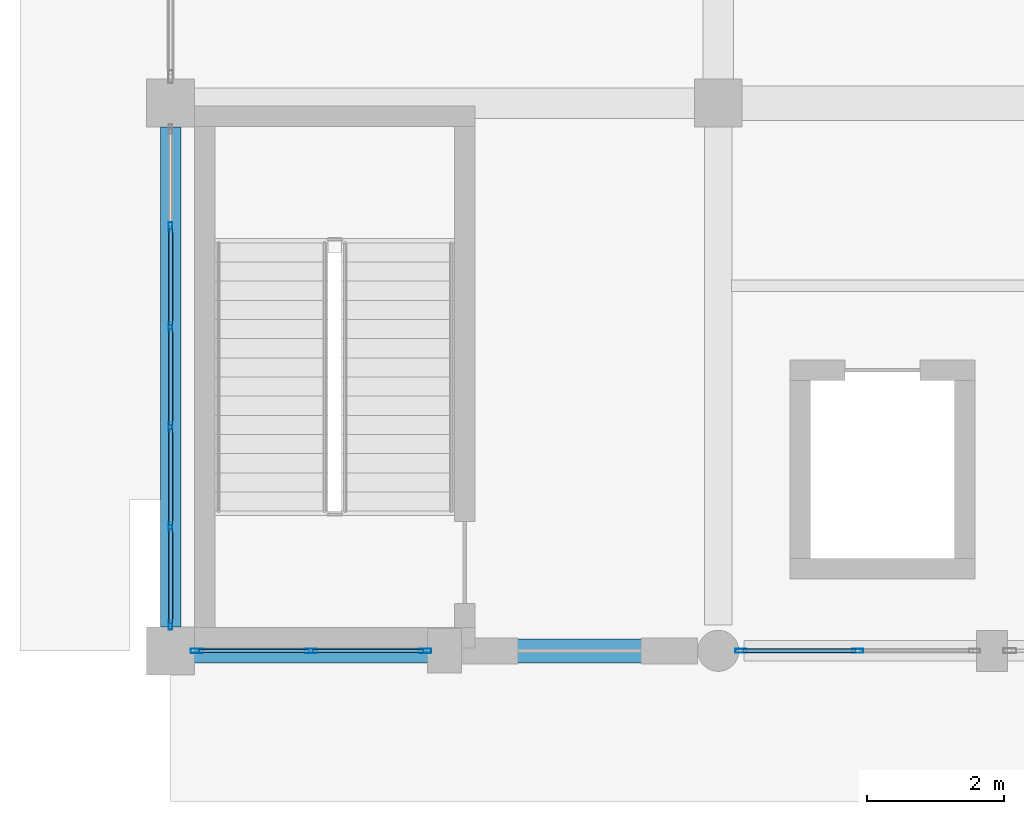
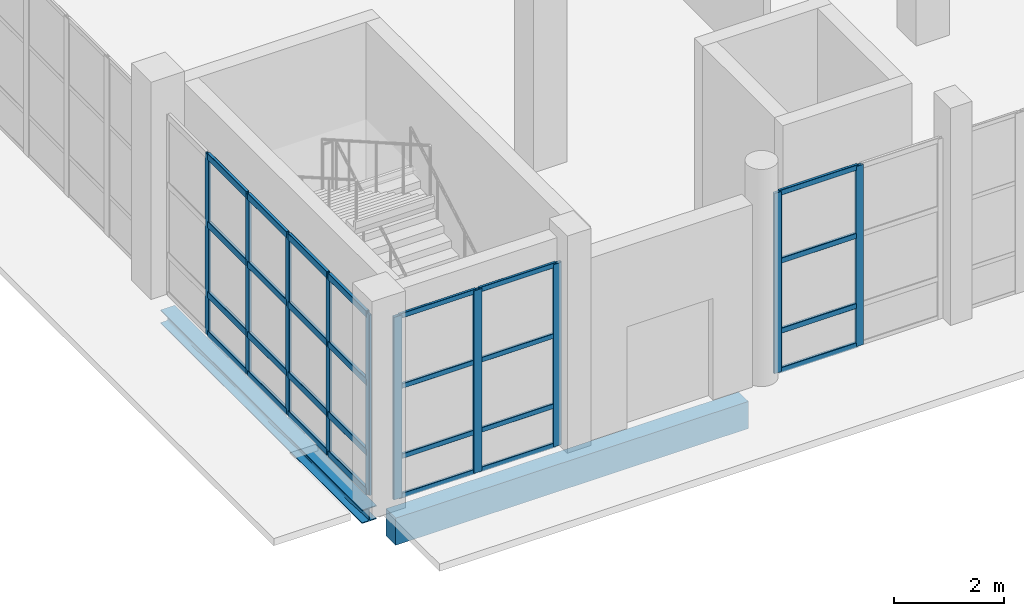
# One storey, part 3 of 156: 38 members, 2 beams, 3 elements without a shape of their own.
"""IFC4 building model written with IfcOpenShell, lengths in metres."""

from ifc_helpers import new_model, si_unit, direction, frame, origin, origin_2d, place, context, subcontext, project, spatial, rectangle, hollow_rectangle, i_section, extrude, material, material_profile, profile_set, type_object, element, aggregate, save


model = new_model("IFC4")

# Units and contexts
model_context = context("Model", 3, precision=1e-05, world=origin(), true_north=direction((0.0, 1.0)))
body_context = subcontext(model_context, "Body", "Model", "MODEL_VIEW")
ifc_project = project(units=[si_unit("LENGTHUNIT", "METRE"), si_unit("AREAUNIT", "SQUARE_METRE"), si_unit("VOLUMEUNIT", "CUBIC_METRE"), si_unit("PLANEANGLEUNIT", "RADIAN"), si_unit("MASSUNIT", "GRAM", prefix="KILO")], contexts=[model_context])

# Site, building, storey
site_placement = place(None, origin())
site = spatial("IfcSite", under=ifc_project, at=site_placement, CompositionType="ELEMENT")
building_placement = place(site_placement, origin())
building = spatial("IfcBuilding", under=site, at=building_placement, Name="Luwemba Playhouse", CompositionType="ELEMENT")
storey_placement = place(building_placement, origin())
storey = spatial("IfcBuildingStorey", under=building, at=storey_placement, Name="L00", CompositionType="ELEMENT", Elevation=0.0)

# Beams
ifc_material_1 = material(Name="Concrete C40/50", Category="concrete")
ifc_material_profile_1 = material_profile(ifc_material_1, rectangle(XDim=0.35009765625, YDim=0.60009765625, at=origin_2d()))
ifc_profile_set_1 = profile_set([ifc_material_profile_1], Name="Concrete C40/50")
beam_type_1 = type_object("IfcBeamType", Name="BM-SP3", PredefinedType="SPANDREL", material=ifc_profile_set_1)
beam_1_placement = place(storey_placement, frame((4.25, 3.0, -0.60009765625), z_axis=(1.0, 0.0, 0.0), x_axis=(0.0, 1.0, 0.0)))
element("IfcBeam", 1, at=beam_1_placement, inside=storey, type_object=beam_type_1, Name="L00 grid girder 0150", PredefinedType="SPANDREL", context=body_context, shape_type="SweptSolid", body=[
    extrude(rectangle(XDim=0.35009765625, YDim=0.60009765625, at=origin_2d()), origin(), (0.0, 0.0, 1.0), 7.375),
])
ifc_material_2 = material(Name="Steel S355", Category="steel")
ifc_material_profile_2 = material_profile(ifc_material_2, i_section(OverallWidth=0.300048828125, OverallDepth=0.300048828125, WebThickness=0.010986328125, FlangeThickness=0.01904296875, FilletRadius=0.027099609375, at=origin_2d()))
ifc_profile_set_2 = profile_set([ifc_material_profile_2], Name="Steel S355")
beam_type_2 = type_object("IfcBeamType", Name="BM-SSP1", PredefinedType="SPANDREL", material=ifc_profile_set_2)
beam_2_placement = place(storey_placement, frame((4.0, 3.35009765625, -0.449951171875), z_axis=(0.0, 1.0, 0.0), x_axis=(-1.0, 0.0, 0.0)))
element("IfcBeam", 2, at=beam_2_placement, inside=storey, type_object=beam_type_2, Name="L00 transverse girder 0178", PredefinedType="SPANDREL", context=body_context, shape_type="SweptSolid", body=[
    extrude(i_section(OverallWidth=0.300048828125, OverallDepth=0.300048828125, WebThickness=0.010986328125, FlangeThickness=0.01904296875, FilletRadius=0.027099609375, at=origin_2d()), origin(), (0.0, 0.0, 1.0), 7.2998046875),
])

# Curtain wall, members
ifc_material_3 = material(Name="Solar-control double glazing", Category="glass")
curtain_wall_type_1 = type_object("IfcCurtainWallType", Name="CW-CW11", PredefinedType="USERDEFINED", material=ifc_material_3)
curtain_wall_1_placement = place(storey_placement, origin())
curtain_wall_1 = element("IfcCurtainWall", 3, at=curtain_wall_1_placement, inside=storey, type_object=curtain_wall_type_1, Name="L00 V5W unitised curtain wall 051", ObjectType="UNITISED GLAZING", PredefinedType="USERDEFINED")
ifc_material_4 = material(Name="Aluminium 6063-T6", Category="aluminium")
ifc_material_profile_3 = material_profile(ifc_material_4, hollow_rectangle(XDim=0.06005859375, YDim=0.159912109375, WallThickness=0.00390625, InnerFilletRadius=0.006103515625, OuterFilletRadius=0.010009765625, at=origin_2d()))
ifc_profile_set_3 = profile_set([ifc_material_profile_3], Name="Aluminium 6063-T6")
member_type_1 = type_object("IfcMemberType", Name="CWM-M1", PredefinedType="MULLION", material=ifc_profile_set_3)
member_1_placement = place(storey_placement, frame((14.03759765625, 3.0, 0.0), z_axis=(0.0, 0.0, 1.0), x_axis=(0.0, -1.0, 0.0)))
member_1 = element("IfcMember", 4, at=member_1_placement, type_object=member_type_1, Name="CW11 mullion 2", PredefinedType="MULLION", context=body_context, shape_type="SweptSolid", body=[
    extrude(hollow_rectangle(XDim=0.06005859375, YDim=0.159912109375, WallThickness=0.00390625, InnerFilletRadius=0.006103515625, OuterFilletRadius=0.010009765625, at=origin_2d()), origin(), (0.0, 0.0, 1.0), 3.985107421875),
])
member_2_placement = place(storey_placement, frame((12.330078125, 3.0, 0.0), z_axis=(0.0, 0.0, 1.0), x_axis=(0.0, -1.0, 0.0)))
member_2 = element("IfcMember", 5, at=member_2_placement, type_object=member_type_1, Name="CW11 mullion 3", PredefinedType="MULLION", context=body_context, shape_type="SweptSolid", body=[
    extrude(hollow_rectangle(XDim=0.06005859375, YDim=0.159912109375, WallThickness=0.00390625, InnerFilletRadius=0.006103515625, OuterFilletRadius=0.010009765625, at=origin_2d()), origin(), (0.0, 0.0, 1.0), 3.985107421875),
])

curtain_wall_type_2 = type_object("IfcCurtainWallType", Name="CW-CW43", PredefinedType="USERDEFINED", material=ifc_material_3)
curtain_wall_2_placement = place(storey_placement, origin())
curtain_wall_2 = element("IfcCurtainWall", 6, at=curtain_wall_2_placement, inside=storey, type_object=curtain_wall_type_2, Name="L00 V5W unitised curtain wall 052", ObjectType="UNITISED GLAZING", PredefinedType="USERDEFINED")
ifc_material_profile_4 = material_profile(ifc_material_4, hollow_rectangle(XDim=0.06494140625, YDim=0.179931640625, WallThickness=0.00439453125, InnerFilletRadius=0.0068359375, OuterFilletRadius=0.01123046875, at=origin_2d()))
ifc_profile_set_4 = profile_set([ifc_material_profile_4], Name="Aluminium 6063-T6")
member_type_2 = type_object("IfcMemberType", Name="CWM-M2", PredefinedType="MULLION", material=ifc_profile_set_4)
member_3_placement = place(storey_placement, frame((7.717529296875, 3.0, 0.0), z_axis=(0.0, 0.0, 1.0), x_axis=(0.0, -1.0, 0.0)))
member_3 = element("IfcMember", 7, at=member_3_placement, type_object=member_type_2, Name="CW43 mullion 1", PredefinedType="MULLION", context=body_context, shape_type="SweptSolid", body=[
    extrude(hollow_rectangle(XDim=0.06494140625, YDim=0.179931640625, WallThickness=0.00439453125, InnerFilletRadius=0.0068359375, OuterFilletRadius=0.01123046875, at=origin_2d()), origin(), (0.0, 0.0, 1.0), 4.034912109375),
])
member_4_placement = place(storey_placement, frame((6.050048828125, 3.0, 0.0), z_axis=(0.0, 0.0, 1.0), x_axis=(0.0, -1.0, 0.0)))
member_4 = element("IfcMember", 8, at=member_4_placement, type_object=member_type_2, Name="CW43 mullion 2", PredefinedType="MULLION", context=body_context, shape_type="SweptSolid", body=[
    extrude(hollow_rectangle(XDim=0.06494140625, YDim=0.179931640625, WallThickness=0.00439453125, InnerFilletRadius=0.0068359375, OuterFilletRadius=0.01123046875, at=origin_2d()), origin(), (0.0, 0.0, 1.0), 4.034912109375),
])
member_5_placement = place(storey_placement, frame((4.382568359375, 3.0, 0.0), z_axis=(0.0, 0.0, 1.0), x_axis=(0.0, -1.0, 0.0)))
member_5 = element("IfcMember", 9, at=member_5_placement, type_object=member_type_2, Name="CW43 mullion 3", PredefinedType="MULLION", context=body_context, shape_type="SweptSolid", body=[
    extrude(hollow_rectangle(XDim=0.06494140625, YDim=0.179931640625, WallThickness=0.00439453125, InnerFilletRadius=0.0068359375, OuterFilletRadius=0.01123046875, at=origin_2d()), origin(), (0.0, 0.0, 1.0), 4.034912109375),
])

curtain_wall_type_3 = type_object("IfcCurtainWallType", Name="CW-CW23", PredefinedType="USERDEFINED", material=ifc_material_3)
curtain_wall_3_placement = place(storey_placement, origin())
curtain_wall_3 = element("IfcCurtainWall", 10, at=curtain_wall_3_placement, inside=storey, type_object=curtain_wall_type_3, Name="L00 V5W unitised curtain wall 025", ObjectType="UNITISED GLAZING", PredefinedType="USERDEFINED")
ifc_material_profile_5 = material_profile(ifc_material_4, hollow_rectangle(XDim=0.054931640625, YDim=0.139892578125, WallThickness=0.00390625, InnerFilletRadius=0.006103515625, OuterFilletRadius=0.010009765625, at=origin_2d()))
ifc_profile_set_5 = profile_set([ifc_material_profile_5], Name="Aluminium 6063-T6")
member_type_3 = type_object("IfcMemberType", Name="CWM-M3", PredefinedType="MULLION", material=ifc_profile_set_5)
member_6_placement = place(storey_placement, frame((4.0, 3.37744140625, 0.0), z_axis=(0.0, 0.0, 1.0), x_axis=(-1.0, 0.0, 0.0)))
member_6 = element("IfcMember", 11, at=member_6_placement, type_object=member_type_3, Name="CW23 mullion 1", PredefinedType="MULLION", context=body_context, shape_type="SweptSolid", body=[
    extrude(hollow_rectangle(XDim=0.054931640625, YDim=0.139892578125, WallThickness=0.00390625, InnerFilletRadius=0.006103515625, OuterFilletRadius=0.010009765625, at=origin_2d()), origin(), (0.0, 0.0, 1.0), 3.985107421875),
])
member_7_placement = place(storey_placement, frame((4.0, 4.81005859375, 0.0), z_axis=(0.0, 0.0, 1.0), x_axis=(-1.0, 0.0, 0.0)))
member_7 = element("IfcMember", 12, at=member_7_placement, type_object=member_type_3, Name="CW23 mullion 2", PredefinedType="MULLION", context=body_context, shape_type="SweptSolid", body=[
    extrude(hollow_rectangle(XDim=0.054931640625, YDim=0.139892578125, WallThickness=0.00390625, InnerFilletRadius=0.006103515625, OuterFilletRadius=0.010009765625, at=origin_2d()), origin(), (0.0, 0.0, 1.0), 3.985107421875),
])
member_8_placement = place(storey_placement, frame((4.0, 6.27001953125, 0.0), z_axis=(0.0, 0.0, 1.0), x_axis=(-1.0, 0.0, 0.0)))
member_8 = element("IfcMember", 13, at=member_8_placement, type_object=member_type_3, Name="CW23 mullion 3", PredefinedType="MULLION", context=body_context, shape_type="SweptSolid", body=[
    extrude(hollow_rectangle(XDim=0.054931640625, YDim=0.139892578125, WallThickness=0.00390625, InnerFilletRadius=0.006103515625, OuterFilletRadius=0.010009765625, at=origin_2d()), origin(), (0.0, 0.0, 1.0), 3.985107421875),
])
member_9_placement = place(storey_placement, frame((4.0, 7.72998046875, 0.0), z_axis=(0.0, 0.0, 1.0), x_axis=(-1.0, 0.0, 0.0)))
member_9 = element("IfcMember", 14, at=member_9_placement, type_object=member_type_3, Name="CW23 mullion 4", PredefinedType="MULLION", context=body_context, shape_type="SweptSolid", body=[
    extrude(hollow_rectangle(XDim=0.054931640625, YDim=0.139892578125, WallThickness=0.00390625, InnerFilletRadius=0.006103515625, OuterFilletRadius=0.010009765625, at=origin_2d()), origin(), (0.0, 0.0, 1.0), 3.985107421875),
])
member_10_placement = place(storey_placement, frame((4.0, 9.18994140625, 0.0), z_axis=(0.0, 0.0, 1.0), x_axis=(-1.0, 0.0, 0.0)))
member_10 = element("IfcMember", 15, at=member_10_placement, type_object=member_type_3, Name="CW23 mullion 5", PredefinedType="MULLION", context=body_context, shape_type="SweptSolid", body=[
    extrude(hollow_rectangle(XDim=0.054931640625, YDim=0.139892578125, WallThickness=0.00390625, InnerFilletRadius=0.006103515625, OuterFilletRadius=0.010009765625, at=origin_2d()), origin(), (0.0, 0.0, 1.0), 3.985107421875),
])

# Member
ifc_material_profile_6 = material_profile(ifc_material_4, hollow_rectangle(XDim=0.06005859375, YDim=0.1201171875, WallThickness=0.00390625, InnerFilletRadius=0.006103515625, OuterFilletRadius=0.010009765625, at=origin_2d()))
ifc_profile_set_6 = profile_set([ifc_material_profile_6], Name="Aluminium 6063-T6")
member_type_4 = type_object("IfcMemberType", Name="CWT-T1", PredefinedType="USERDEFINED", material=ifc_profile_set_6)
member_11_placement = place(storey_placement, frame((14.007568359375, 3.0, 0.030029296875), z_axis=(-1.0, 0.0, 0.0), x_axis=(0.0, -1.0, 0.0)))
member_11 = element("IfcMember", 16, at=member_11_placement, type_object=member_type_4, Name="CW11 transom 2.1", ObjectType="TRANSOM", PredefinedType="USERDEFINED", context=body_context, shape_type="SweptSolid", body=[
    extrude(hollow_rectangle(XDim=0.06005859375, YDim=0.1201171875, WallThickness=0.00390625, InnerFilletRadius=0.006103515625, OuterFilletRadius=0.010009765625, at=origin_2d()), origin(), (0.0, 0.0, 1.0), 1.6474609375),
])

member_12_placement = place(storey_placement, frame((14.007568359375, 3.0, 0.89990234375), z_axis=(-1.0, 0.0, 0.0), x_axis=(0.0, -1.0, 0.0)))
member_12 = element("IfcMember", 17, at=member_12_placement, type_object=member_type_4, Name="CW11 transom 2.2", ObjectType="TRANSOM", PredefinedType="USERDEFINED", context=body_context, shape_type="SweptSolid", body=[
    extrude(hollow_rectangle(XDim=0.06005859375, YDim=0.1201171875, WallThickness=0.00390625, InnerFilletRadius=0.006103515625, OuterFilletRadius=0.010009765625, at=origin_2d()), origin(), (0.0, 0.0, 1.0), 1.6474609375),
])

member_13_placement = place(storey_placement, frame((14.007568359375, 3.0, 2.449951171875), z_axis=(-1.0, 0.0, 0.0), x_axis=(0.0, -1.0, 0.0)))
member_13 = element("IfcMember", 18, at=member_13_placement, type_object=member_type_4, Name="CW11 transom 2.3", ObjectType="TRANSOM", PredefinedType="USERDEFINED", context=body_context, shape_type="SweptSolid", body=[
    extrude(hollow_rectangle(XDim=0.06005859375, YDim=0.1201171875, WallThickness=0.00390625, InnerFilletRadius=0.006103515625, OuterFilletRadius=0.010009765625, at=origin_2d()), origin(), (0.0, 0.0, 1.0), 1.6474609375),
])

member_14_placement = place(storey_placement, frame((14.007568359375, 3.0, 3.955078125), z_axis=(-1.0, 0.0, 0.0), x_axis=(0.0, -1.0, 0.0)))
member_14 = element("IfcMember", 19, at=member_14_placement, type_object=member_type_4, Name="CW11 transom 2.4", ObjectType="TRANSOM", PredefinedType="USERDEFINED", context=body_context, shape_type="SweptSolid", body=[
    extrude(hollow_rectangle(XDim=0.06005859375, YDim=0.1201171875, WallThickness=0.00390625, InnerFilletRadius=0.006103515625, OuterFilletRadius=0.010009765625, at=origin_2d()), origin(), (0.0, 0.0, 1.0), 1.6474609375),
])

aggregate(curtain_wall_1, [member_1, member_2, member_11, member_12, member_13, member_14])

ifc_material_profile_7 = material_profile(ifc_material_4, hollow_rectangle(XDim=0.054931640625, YDim=0.110107421875, WallThickness=0.00341796875, InnerFilletRadius=0.00537109375, OuterFilletRadius=0.0087890625, at=origin_2d()))
ifc_profile_set_7 = profile_set([ifc_material_profile_7], Name="Aluminium 6063-T6")
member_type_5 = type_object("IfcMemberType", Name="CWT-T2", PredefinedType="USERDEFINED", material=ifc_profile_set_7)
member_15_placement = place(storey_placement, frame((7.68505859375, 3.0, 0.027587890625), z_axis=(-1.0, 0.0, 0.0), x_axis=(0.0, -1.0, 0.0)))
member_15 = element("IfcMember", 20, at=member_15_placement, type_object=member_type_5, Name="CW43 transom 1.1", ObjectType="TRANSOM", PredefinedType="USERDEFINED", context=body_context, shape_type="SweptSolid", body=[
    extrude(hollow_rectangle(XDim=0.054931640625, YDim=0.110107421875, WallThickness=0.00341796875, InnerFilletRadius=0.00537109375, OuterFilletRadius=0.0087890625, at=origin_2d()), origin(), (0.0, 0.0, 1.0), 1.6025390625),
])

member_16_placement = place(storey_placement, frame((7.68505859375, 3.0, 0.89990234375), z_axis=(-1.0, 0.0, 0.0), x_axis=(0.0, -1.0, 0.0)))
member_16 = element("IfcMember", 21, at=member_16_placement, type_object=member_type_5, Name="CW43 transom 1.2", ObjectType="TRANSOM", PredefinedType="USERDEFINED", context=body_context, shape_type="SweptSolid", body=[
    extrude(hollow_rectangle(XDim=0.054931640625, YDim=0.110107421875, WallThickness=0.00341796875, InnerFilletRadius=0.00537109375, OuterFilletRadius=0.0087890625, at=origin_2d()), origin(), (0.0, 0.0, 1.0), 1.6025390625),
])

member_17_placement = place(storey_placement, frame((7.68505859375, 3.0, 2.449951171875), z_axis=(-1.0, 0.0, 0.0), x_axis=(0.0, -1.0, 0.0)))
member_17 = element("IfcMember", 22, at=member_17_placement, type_object=member_type_5, Name="CW43 transom 1.3", ObjectType="TRANSOM", PredefinedType="USERDEFINED", context=body_context, shape_type="SweptSolid", body=[
    extrude(hollow_rectangle(XDim=0.054931640625, YDim=0.110107421875, WallThickness=0.00341796875, InnerFilletRadius=0.00537109375, OuterFilletRadius=0.0087890625, at=origin_2d()), origin(), (0.0, 0.0, 1.0), 1.6025390625),
])

member_18_placement = place(storey_placement, frame((7.68505859375, 3.0, 4.007568359375), z_axis=(-1.0, 0.0, 0.0), x_axis=(0.0, -1.0, 0.0)))
member_18 = element("IfcMember", 23, at=member_18_placement, type_object=member_type_5, Name="CW43 transom 1.4", ObjectType="TRANSOM", PredefinedType="USERDEFINED", context=body_context, shape_type="SweptSolid", body=[
    extrude(hollow_rectangle(XDim=0.054931640625, YDim=0.110107421875, WallThickness=0.00341796875, InnerFilletRadius=0.00537109375, OuterFilletRadius=0.0087890625, at=origin_2d()), origin(), (0.0, 0.0, 1.0), 1.6025390625),
])

member_19_placement = place(storey_placement, frame((6.017578125, 3.0, 0.027587890625), z_axis=(-1.0, 0.0, 0.0), x_axis=(0.0, -1.0, 0.0)))
member_19 = element("IfcMember", 24, at=member_19_placement, type_object=member_type_5, Name="CW43 transom 2.1", ObjectType="TRANSOM", PredefinedType="USERDEFINED", context=body_context, shape_type="SweptSolid", body=[
    extrude(hollow_rectangle(XDim=0.054931640625, YDim=0.110107421875, WallThickness=0.00341796875, InnerFilletRadius=0.00537109375, OuterFilletRadius=0.0087890625, at=origin_2d()), origin(), (0.0, 0.0, 1.0), 1.6025390625),
])

member_20_placement = place(storey_placement, frame((6.017578125, 3.0, 0.89990234375), z_axis=(-1.0, 0.0, 0.0), x_axis=(0.0, -1.0, 0.0)))
member_20 = element("IfcMember", 25, at=member_20_placement, type_object=member_type_5, Name="CW43 transom 2.2", ObjectType="TRANSOM", PredefinedType="USERDEFINED", context=body_context, shape_type="SweptSolid", body=[
    extrude(hollow_rectangle(XDim=0.054931640625, YDim=0.110107421875, WallThickness=0.00341796875, InnerFilletRadius=0.00537109375, OuterFilletRadius=0.0087890625, at=origin_2d()), origin(), (0.0, 0.0, 1.0), 1.6025390625),
])

member_21_placement = place(storey_placement, frame((6.017578125, 3.0, 2.449951171875), z_axis=(-1.0, 0.0, 0.0), x_axis=(0.0, -1.0, 0.0)))
member_21 = element("IfcMember", 26, at=member_21_placement, type_object=member_type_5, Name="CW43 transom 2.3", ObjectType="TRANSOM", PredefinedType="USERDEFINED", context=body_context, shape_type="SweptSolid", body=[
    extrude(hollow_rectangle(XDim=0.054931640625, YDim=0.110107421875, WallThickness=0.00341796875, InnerFilletRadius=0.00537109375, OuterFilletRadius=0.0087890625, at=origin_2d()), origin(), (0.0, 0.0, 1.0), 1.6025390625),
])

member_22_placement = place(storey_placement, frame((6.017578125, 3.0, 4.007568359375), z_axis=(-1.0, 0.0, 0.0), x_axis=(0.0, -1.0, 0.0)))
member_22 = element("IfcMember", 27, at=member_22_placement, type_object=member_type_5, Name="CW43 transom 2.4", ObjectType="TRANSOM", PredefinedType="USERDEFINED", context=body_context, shape_type="SweptSolid", body=[
    extrude(hollow_rectangle(XDim=0.054931640625, YDim=0.110107421875, WallThickness=0.00341796875, InnerFilletRadius=0.00537109375, OuterFilletRadius=0.0087890625, at=origin_2d()), origin(), (0.0, 0.0, 1.0), 1.6025390625),
])

aggregate(curtain_wall_2, [member_3, member_4, member_5, member_15, member_16, member_17, member_18, member_19, member_20, member_21, member_22])

ifc_material_profile_8 = material_profile(ifc_material_4, hollow_rectangle(XDim=0.06494140625, YDim=0.14990234375, WallThickness=0.00390625, InnerFilletRadius=0.006103515625, OuterFilletRadius=0.010009765625, at=origin_2d()))
ifc_profile_set_8 = profile_set([ifc_material_profile_8], Name="Aluminium 6063-T6")
member_type_6 = type_object("IfcMemberType", Name="CWT-T3", PredefinedType="USERDEFINED", material=ifc_profile_set_8)
member_23_placement = place(storey_placement, frame((4.0, 3.405029296875, 0.032470703125), z_axis=(0.0, 1.0, 0.0), x_axis=(-1.0, 0.0, 0.0)))
member_23 = element("IfcMember", 28, at=member_23_placement, type_object=member_type_6, Name="CW23 transom 1.1", ObjectType="TRANSOM", PredefinedType="USERDEFINED", context=body_context, shape_type="SweptSolid", body=[
    extrude(hollow_rectangle(XDim=0.06494140625, YDim=0.14990234375, WallThickness=0.00390625, InnerFilletRadius=0.006103515625, OuterFilletRadius=0.010009765625, at=origin_2d()), origin(), (0.0, 0.0, 1.0), 1.37744140625),
])

member_24_placement = place(storey_placement, frame((4.0, 3.405029296875, 0.89990234375), z_axis=(0.0, 1.0, 0.0), x_axis=(-1.0, 0.0, 0.0)))
member_24 = element("IfcMember", 29, at=member_24_placement, type_object=member_type_6, Name="CW23 transom 1.2", ObjectType="TRANSOM", PredefinedType="USERDEFINED", context=body_context, shape_type="SweptSolid", body=[
    extrude(hollow_rectangle(XDim=0.06494140625, YDim=0.14990234375, WallThickness=0.00390625, InnerFilletRadius=0.006103515625, OuterFilletRadius=0.010009765625, at=origin_2d()), origin(), (0.0, 0.0, 1.0), 1.37744140625),
])

member_25_placement = place(storey_placement, frame((4.0, 3.405029296875, 2.449951171875), z_axis=(0.0, 1.0, 0.0), x_axis=(-1.0, 0.0, 0.0)))
member_25 = element("IfcMember", 30, at=member_25_placement, type_object=member_type_6, Name="CW23 transom 1.3", ObjectType="TRANSOM", PredefinedType="USERDEFINED", context=body_context, shape_type="SweptSolid", body=[
    extrude(hollow_rectangle(XDim=0.06494140625, YDim=0.14990234375, WallThickness=0.00390625, InnerFilletRadius=0.006103515625, OuterFilletRadius=0.010009765625, at=origin_2d()), origin(), (0.0, 0.0, 1.0), 1.37744140625),
])

member_26_placement = place(storey_placement, frame((4.0, 3.405029296875, 3.952392578125), z_axis=(0.0, 1.0, 0.0), x_axis=(-1.0, 0.0, 0.0)))
member_26 = element("IfcMember", 31, at=member_26_placement, type_object=member_type_6, Name="CW23 transom 1.4", ObjectType="TRANSOM", PredefinedType="USERDEFINED", context=body_context, shape_type="SweptSolid", body=[
    extrude(hollow_rectangle(XDim=0.06494140625, YDim=0.14990234375, WallThickness=0.00390625, InnerFilletRadius=0.006103515625, OuterFilletRadius=0.010009765625, at=origin_2d()), origin(), (0.0, 0.0, 1.0), 1.37744140625),
])

member_27_placement = place(storey_placement, frame((4.0, 4.83740234375, 0.032470703125), z_axis=(0.0, 1.0, 0.0), x_axis=(-1.0, 0.0, 0.0)))
member_27 = element("IfcMember", 32, at=member_27_placement, type_object=member_type_6, Name="CW23 transom 2.1", ObjectType="TRANSOM", PredefinedType="USERDEFINED", context=body_context, shape_type="SweptSolid", body=[
    extrude(hollow_rectangle(XDim=0.06494140625, YDim=0.14990234375, WallThickness=0.00390625, InnerFilletRadius=0.006103515625, OuterFilletRadius=0.010009765625, at=origin_2d()), origin(), (0.0, 0.0, 1.0), 1.405029296875),
])

member_28_placement = place(storey_placement, frame((4.0, 4.83740234375, 0.89990234375), z_axis=(0.0, 1.0, 0.0), x_axis=(-1.0, 0.0, 0.0)))
member_28 = element("IfcMember", 33, at=member_28_placement, type_object=member_type_6, Name="CW23 transom 2.2", ObjectType="TRANSOM", PredefinedType="USERDEFINED", context=body_context, shape_type="SweptSolid", body=[
    extrude(hollow_rectangle(XDim=0.06494140625, YDim=0.14990234375, WallThickness=0.00390625, InnerFilletRadius=0.006103515625, OuterFilletRadius=0.010009765625, at=origin_2d()), origin(), (0.0, 0.0, 1.0), 1.405029296875),
])

member_29_placement = place(storey_placement, frame((4.0, 4.83740234375, 2.449951171875), z_axis=(0.0, 1.0, 0.0), x_axis=(-1.0, 0.0, 0.0)))
member_29 = element("IfcMember", 34, at=member_29_placement, type_object=member_type_6, Name="CW23 transom 2.3", ObjectType="TRANSOM", PredefinedType="USERDEFINED", context=body_context, shape_type="SweptSolid", body=[
    extrude(hollow_rectangle(XDim=0.06494140625, YDim=0.14990234375, WallThickness=0.00390625, InnerFilletRadius=0.006103515625, OuterFilletRadius=0.010009765625, at=origin_2d()), origin(), (0.0, 0.0, 1.0), 1.405029296875),
])

member_30_placement = place(storey_placement, frame((4.0, 4.83740234375, 3.952392578125), z_axis=(0.0, 1.0, 0.0), x_axis=(-1.0, 0.0, 0.0)))
member_30 = element("IfcMember", 35, at=member_30_placement, type_object=member_type_6, Name="CW23 transom 2.4", ObjectType="TRANSOM", PredefinedType="USERDEFINED", context=body_context, shape_type="SweptSolid", body=[
    extrude(hollow_rectangle(XDim=0.06494140625, YDim=0.14990234375, WallThickness=0.00390625, InnerFilletRadius=0.006103515625, OuterFilletRadius=0.010009765625, at=origin_2d()), origin(), (0.0, 0.0, 1.0), 1.405029296875),
])

member_31_placement = place(storey_placement, frame((4.0, 6.297607421875, 0.032470703125), z_axis=(0.0, 1.0, 0.0), x_axis=(-1.0, 0.0, 0.0)))
member_31 = element("IfcMember", 36, at=member_31_placement, type_object=member_type_6, Name="CW23 transom 3.1", ObjectType="TRANSOM", PredefinedType="USERDEFINED", context=body_context, shape_type="SweptSolid", body=[
    extrude(hollow_rectangle(XDim=0.06494140625, YDim=0.14990234375, WallThickness=0.00390625, InnerFilletRadius=0.006103515625, OuterFilletRadius=0.010009765625, at=origin_2d()), origin(), (0.0, 0.0, 1.0), 1.40478515625),
])

member_32_placement = place(storey_placement, frame((4.0, 6.297607421875, 0.89990234375), z_axis=(0.0, 1.0, 0.0), x_axis=(-1.0, 0.0, 0.0)))
member_32 = element("IfcMember", 37, at=member_32_placement, type_object=member_type_6, Name="CW23 transom 3.2", ObjectType="TRANSOM", PredefinedType="USERDEFINED", context=body_context, shape_type="SweptSolid", body=[
    extrude(hollow_rectangle(XDim=0.06494140625, YDim=0.14990234375, WallThickness=0.00390625, InnerFilletRadius=0.006103515625, OuterFilletRadius=0.010009765625, at=origin_2d()), origin(), (0.0, 0.0, 1.0), 1.40478515625),
])

member_33_placement = place(storey_placement, frame((4.0, 6.297607421875, 2.449951171875), z_axis=(0.0, 1.0, 0.0), x_axis=(-1.0, 0.0, 0.0)))
member_33 = element("IfcMember", 38, at=member_33_placement, type_object=member_type_6, Name="CW23 transom 3.3", ObjectType="TRANSOM", PredefinedType="USERDEFINED", context=body_context, shape_type="SweptSolid", body=[
    extrude(hollow_rectangle(XDim=0.06494140625, YDim=0.14990234375, WallThickness=0.00390625, InnerFilletRadius=0.006103515625, OuterFilletRadius=0.010009765625, at=origin_2d()), origin(), (0.0, 0.0, 1.0), 1.40478515625),
])

member_34_placement = place(storey_placement, frame((4.0, 6.297607421875, 3.952392578125), z_axis=(0.0, 1.0, 0.0), x_axis=(-1.0, 0.0, 0.0)))
member_34 = element("IfcMember", 39, at=member_34_placement, type_object=member_type_6, Name="CW23 transom 3.4", ObjectType="TRANSOM", PredefinedType="USERDEFINED", context=body_context, shape_type="SweptSolid", body=[
    extrude(hollow_rectangle(XDim=0.06494140625, YDim=0.14990234375, WallThickness=0.00390625, InnerFilletRadius=0.006103515625, OuterFilletRadius=0.010009765625, at=origin_2d()), origin(), (0.0, 0.0, 1.0), 1.40478515625),
])

member_35_placement = place(storey_placement, frame((4.0, 7.757568359375, 0.032470703125), z_axis=(0.0, 1.0, 0.0), x_axis=(-1.0, 0.0, 0.0)))
member_35 = element("IfcMember", 40, at=member_35_placement, type_object=member_type_6, Name="CW23 transom 4.1", ObjectType="TRANSOM", PredefinedType="USERDEFINED", context=body_context, shape_type="SweptSolid", body=[
    extrude(hollow_rectangle(XDim=0.06494140625, YDim=0.14990234375, WallThickness=0.00390625, InnerFilletRadius=0.006103515625, OuterFilletRadius=0.010009765625, at=origin_2d()), origin(), (0.0, 0.0, 1.0), 1.405029296875),
])

member_36_placement = place(storey_placement, frame((4.0, 7.757568359375, 0.89990234375), z_axis=(0.0, 1.0, 0.0), x_axis=(-1.0, 0.0, 0.0)))
member_36 = element("IfcMember", 41, at=member_36_placement, type_object=member_type_6, Name="CW23 transom 4.2", ObjectType="TRANSOM", PredefinedType="USERDEFINED", context=body_context, shape_type="SweptSolid", body=[
    extrude(hollow_rectangle(XDim=0.06494140625, YDim=0.14990234375, WallThickness=0.00390625, InnerFilletRadius=0.006103515625, OuterFilletRadius=0.010009765625, at=origin_2d()), origin(), (0.0, 0.0, 1.0), 1.405029296875),
])

member_37_placement = place(storey_placement, frame((4.0, 7.757568359375, 2.449951171875), z_axis=(0.0, 1.0, 0.0), x_axis=(-1.0, 0.0, 0.0)))
member_37 = element("IfcMember", 42, at=member_37_placement, type_object=member_type_6, Name="CW23 transom 4.3", ObjectType="TRANSOM", PredefinedType="USERDEFINED", context=body_context, shape_type="SweptSolid", body=[
    extrude(hollow_rectangle(XDim=0.06494140625, YDim=0.14990234375, WallThickness=0.00390625, InnerFilletRadius=0.006103515625, OuterFilletRadius=0.010009765625, at=origin_2d()), origin(), (0.0, 0.0, 1.0), 1.405029296875),
])

member_38_placement = place(storey_placement, frame((4.0, 7.757568359375, 3.952392578125), z_axis=(0.0, 1.0, 0.0), x_axis=(-1.0, 0.0, 0.0)))
member_38 = element("IfcMember", 43, at=member_38_placement, type_object=member_type_6, Name="CW23 transom 4.4", ObjectType="TRANSOM", PredefinedType="USERDEFINED", context=body_context, shape_type="SweptSolid", body=[
    extrude(hollow_rectangle(XDim=0.06494140625, YDim=0.14990234375, WallThickness=0.00390625, InnerFilletRadius=0.006103515625, OuterFilletRadius=0.010009765625, at=origin_2d()), origin(), (0.0, 0.0, 1.0), 1.405029296875),
])

aggregate(curtain_wall_3, [member_6, member_7, member_8, member_9, member_10, member_23, member_24, member_25, member_26, member_27, member_28, member_29, member_30, member_31, member_32, member_33, member_34, member_35, member_36, member_37, member_38])

save(model, "model.ifc")
